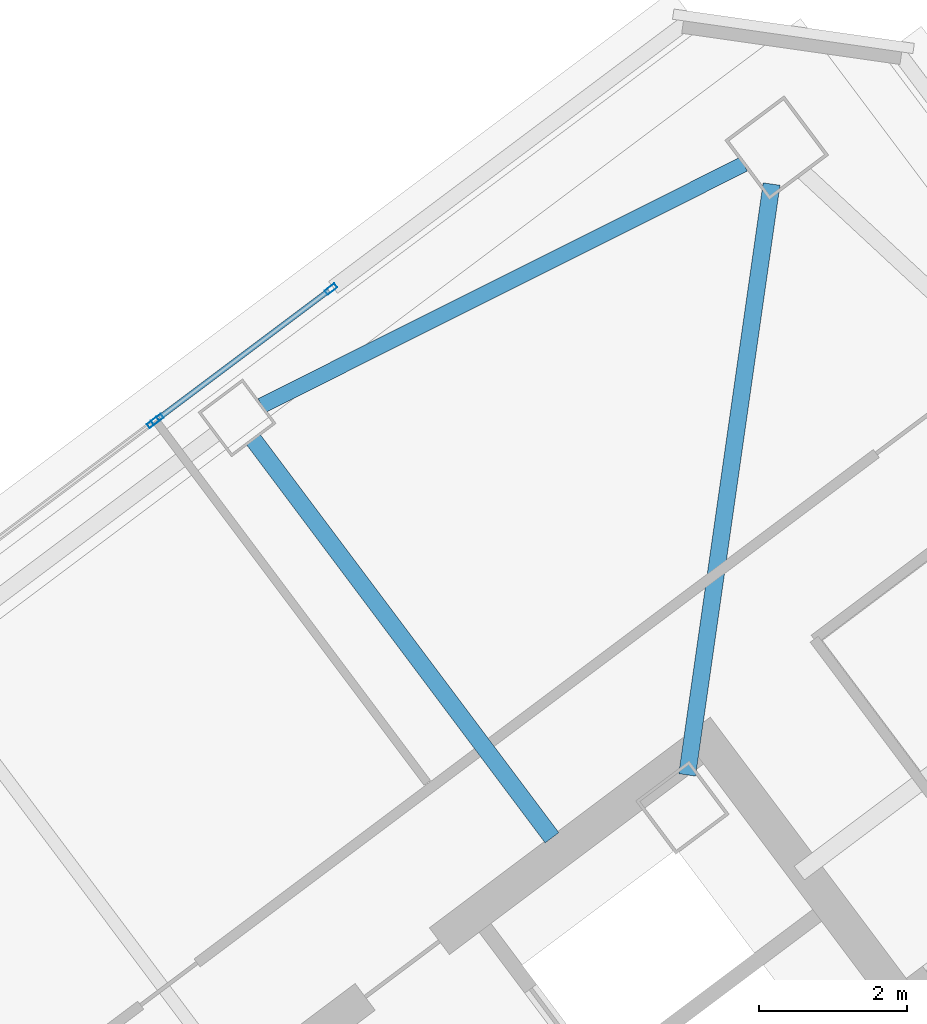
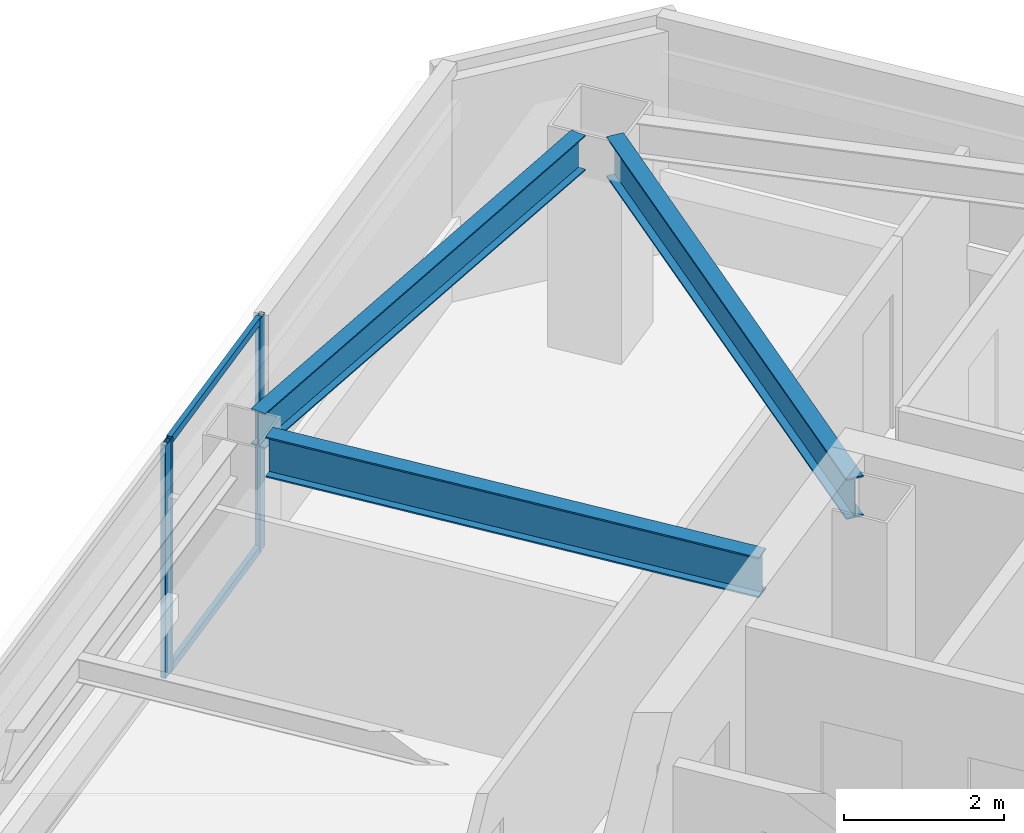
# One storey, part 26 of 39: 5 members, 3 beams, 2 elements without a shape of their own.
"""IFC4 building model written with IfcOpenShell, lengths in metres."""

from ifc_helpers import new_model, si_unit, direction, frame, origin, origin_2d, place, context, subcontext, project, spatial, hollow_rectangle, i_section, extrude, material, material_profile, profile_set, type_object, element, aggregate, save


model = new_model("IFC4")

# Units and contexts
model_context = context("Model", 3, precision=1e-05, world=origin(), true_north=direction((0.0, 1.0)))
body_context = subcontext(model_context, "Body", "Model", "MODEL_VIEW")
ifc_project = project(units=[si_unit("LENGTHUNIT", "METRE"), si_unit("AREAUNIT", "SQUARE_METRE"), si_unit("VOLUMEUNIT", "CUBIC_METRE"), si_unit("PLANEANGLEUNIT", "RADIAN"), si_unit("MASSUNIT", "GRAM", prefix="KILO")], contexts=[model_context])

# Site, building, storey
site_placement = place(None, origin())
site = spatial("IfcSite", under=ifc_project, at=site_placement, CompositionType="ELEMENT")
building_placement = place(site_placement, origin())
building = spatial("IfcBuilding", under=site, at=building_placement, Name="Tashvorn Skyway Center", CompositionType="ELEMENT")
storey_placement = place(building_placement, frame((0.0, 0.0, 225.5)))
storey = spatial("IfcBuildingStorey", under=building, at=storey_placement, Name="L61", CompositionType="ELEMENT", Elevation=225.5)

# Beams
ifc_material_1 = material(Name="Steel ASTM A992 Grade 50", Category="steel")
ifc_material_profile_1 = material_profile(ifc_material_1, i_section(OverallWidth=0.22998046875, OverallDepth=0.616943359375, WebThickness=0.01318359375, FlangeThickness=0.022216796875, at=origin_2d()), Name="W24X94")
ifc_profile_set_1 = profile_set([ifc_material_profile_1], Name="Steel ASTM A992 Grade 50")
beam_type_1 = type_object("IfcBeamType", Name="BM-BEAM-W24X94", PredefinedType="BEAM", material=ifc_profile_set_1)
beam_1_placement = place(storey_placement, frame((116.610107421875, 50.27001953125, 3.0615234375), z_axis=(-0.141438360399, -0.989947064346, 0.0), x_axis=(0.989947064346, -0.141438360399, 0.0)))
element("IfcBeam", 1, at=beam_1_placement, inside=storey, type_object=beam_type_1, Name="Tower 2 L61 Primary Floor Girder MC-NE", PredefinedType="BEAM", context=body_context, shape_type="SweptSolid", body=[
    extrude(i_section(OverallWidth=0.22998046875, OverallDepth=0.616943359375, WebThickness=0.01318359375, FlangeThickness=0.022216796875, at=origin_2d()), origin(), (0.0, 0.0, 1.0), 8.040283203125),
])
beam_2_placement = place(storey_placement, frame((109.632080078125, 46.823974609375, 3.0615234375), z_axis=(0.600011660554, -0.799991254452, 0.0), x_axis=(0.799991254452, 0.600011660554, 0.0)))
element("IfcBeam", 2, at=beam_2_placement, inside=storey, type_object=beam_type_1, Name="Tower 2 L61 Primary Floor Girder FC-N1", PredefinedType="BEAM", context=body_context, shape_type="SweptSolid", body=[
    extrude(i_section(OverallWidth=0.22998046875, OverallDepth=0.616943359375, WebThickness=0.01318359375, FlangeThickness=0.022216796875, at=origin_2d()), origin(), (0.0, 0.0, 1.0), 6.699951171875),
])
ifc_material_profile_2 = material_profile(ifc_material_1, i_section(OverallWidth=0.2109375, OverallDepth=0.5390625, WebThickness=0.01171875, FlangeThickness=0.018798828125, at=origin_2d()), Name="W21X73")
ifc_profile_set_2 = profile_set([ifc_material_profile_2], Name="Steel ASTM A992 Grade 50")
beam_type_2 = type_object("IfcBeamType", Name="BM-SPANDREL-W21X73", PredefinedType="SPANDREL", material=ifc_profile_set_2)
beam_3_placement = place(storey_placement, frame((116.2373046875, 50.538330078125, 3.1005859375), z_axis=(-0.894178380472, -0.447710870872, 0.0), x_axis=(0.447710870872, -0.894178380472, 0.0)))
element("IfcBeam", 3, at=beam_3_placement, inside=storey, type_object=beam_type_2, Name="Tower 2 L61 Spandrel Beam 07", PredefinedType="SPANDREL", context=body_context, shape_type="SweptSolid", body=[
    extrude(i_section(OverallWidth=0.2109375, OverallDepth=0.5390625, WebThickness=0.01171875, FlangeThickness=0.018798828125, at=origin_2d()), origin(), (0.0, 0.0, 1.0), 7.26513671875),
])

# Curtain wall, member
ifc_material_2 = material(Name="Thermally broken bronze-anodized aluminium 6063-T6", Category="aluminium")
curtain_wall_type = type_object("IfcCurtainWallType", Name="CW-CW-Z5", PredefinedType="NOTDEFINED", material=ifc_material_2)
curtain_wall_1_placement = place(storey_placement, origin())
curtain_wall_1 = element("IfcCurtainWall", 4, at=curtain_wall_1_placement, inside=storey, type_object=curtain_wall_type, Name="Tower 2 L61 North Unitised Curtain Wall Glazing Group 2", PredefinedType="NOTDEFINED")
ifc_material_profile_3 = material_profile(ifc_material_2, hollow_rectangle(XDim=0.070068359375, YDim=0.1650390625, WallThickness=0.00390625, at=origin_2d()), Name="ALU-MULL-70x165")
ifc_profile_set_3 = profile_set([ifc_material_profile_3], Name="Thermally broken bronze-anodized aluminium 6063-T6")
member_type_1 = type_object("IfcMemberType", Name="CWM-CW-Z5", PredefinedType="MULLION", material=ifc_profile_set_3)
member_1_placement = place(storey_placement, frame((108.27880859375, 47.05908203125, 0.0), z_axis=(0.0, 0.0, 1.0), x_axis=(-0.599996439189, 0.800002670596, 0.0)))
member_1 = element("IfcMember", 5, at=member_1_placement, type_object=member_type_1, Name="CW-Z5 mullion 2", PredefinedType="MULLION", context=body_context, shape_type="SweptSolid", body=[
    extrude(hollow_rectangle(XDim=0.070068359375, YDim=0.1650390625, WallThickness=0.00390625, at=origin_2d()), origin(), (0.0, 0.0, 1.0), 3.550048828125),
])
aggregate(curtain_wall_1, [member_1])

# Curtain wall, members
curtain_wall_2_placement = place(storey_placement, origin())
curtain_wall_2 = element("IfcCurtainWall", 6, at=curtain_wall_2_placement, inside=storey, type_object=curtain_wall_type, Name="Tower 2 L61 North Unitised Curtain Wall Glazing Group 3", PredefinedType="NOTDEFINED")
member_2_placement = place(storey_placement, frame((108.334716796875, 47.10107421875, 0.0), z_axis=(0.0, 0.0, 1.0), x_axis=(-0.600000000002, 0.799999999998, 0.0)))
member_2 = element("IfcMember", 7, at=member_2_placement, type_object=member_type_1, Name="CW-Z5 mullion 1", PredefinedType="MULLION", context=body_context, shape_type="SweptSolid", body=[
    extrude(hollow_rectangle(XDim=0.070068359375, YDim=0.1650390625, WallThickness=0.00390625, at=origin_2d()), origin(), (0.0, 0.0, 1.0), 3.550048828125),
])
member_3_placement = place(storey_placement, frame((110.675048828125, 48.856201171875, 0.0), z_axis=(0.0, 0.0, 1.0), x_axis=(-0.600000000002, 0.799999999998, 0.0)))
member_3 = element("IfcMember", 8, at=member_3_placement, type_object=member_type_1, Name="CW-Z5 mullion 2", PredefinedType="MULLION", context=body_context, shape_type="SweptSolid", body=[
    extrude(hollow_rectangle(XDim=0.070068359375, YDim=0.1650390625, WallThickness=0.00390625, at=origin_2d()), origin(), (0.0, 0.0, 1.0), 3.550048828125),
])
ifc_material_profile_4 = material_profile(ifc_material_2, hollow_rectangle(XDim=0.070068359375, YDim=0.114990234375, WallThickness=0.00390625, at=origin_2d()), Name="ALU-TRAN-70x115")
ifc_profile_set_4 = profile_set([ifc_material_profile_4], Name="Thermally broken bronze-anodized aluminium 6063-T6")
member_type_2 = type_object("IfcMemberType", Name="CWT-CW-Z5", PredefinedType="USERDEFINED", material=ifc_profile_set_4)
member_4_placement = place(storey_placement, frame((108.36279296875, 47.1220703125, 0.034912109375), z_axis=(0.800030779227, 0.599958958837, 0.0), x_axis=(-0.599958958837, 0.800030779227, 0.0)))
member_4 = element("IfcMember", 9, at=member_4_placement, type_object=member_type_2, Name="CW-Z5 transom 1.1", ObjectType="TRANSOM", PredefinedType="USERDEFINED", context=body_context, shape_type="SweptSolid", body=[
    extrude(hollow_rectangle(XDim=0.070068359375, YDim=0.114990234375, WallThickness=0.00390625, at=origin_2d()), origin(), (0.0, 0.0, 1.0), 2.85546875),
])
member_5_placement = place(storey_placement, frame((108.36279296875, 47.1220703125, 3.514892578125), z_axis=(0.800030779227, 0.599958958837, 0.0), x_axis=(-0.599958958837, 0.800030779227, 0.0)))
member_5 = element("IfcMember", 10, at=member_5_placement, type_object=member_type_2, Name="CW-Z5 transom 1.2", ObjectType="TRANSOM", PredefinedType="USERDEFINED", context=body_context, shape_type="SweptSolid", body=[
    extrude(hollow_rectangle(XDim=0.070068359375, YDim=0.114990234375, WallThickness=0.00390625, at=origin_2d()), origin(), (0.0, 0.0, 1.0), 2.85546875),
])
aggregate(curtain_wall_2, [member_2, member_3, member_4, member_5])

save(model, "model.ifc")
